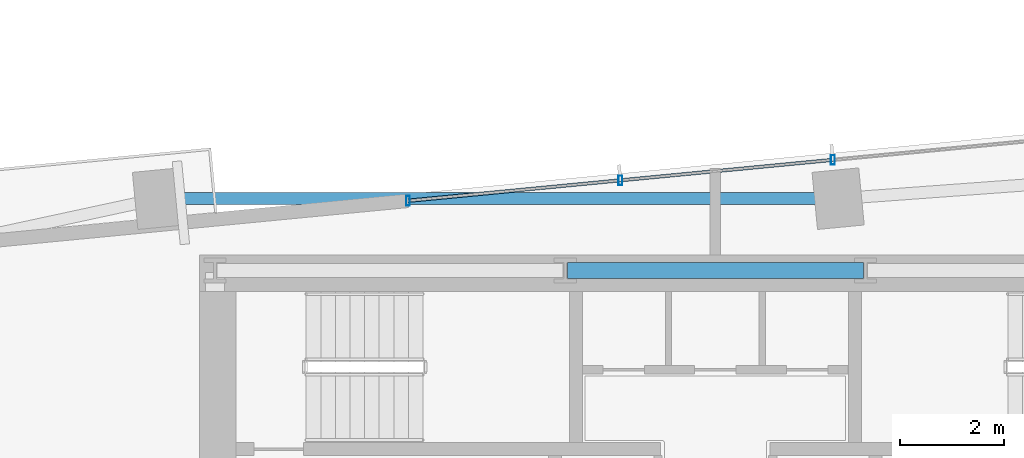
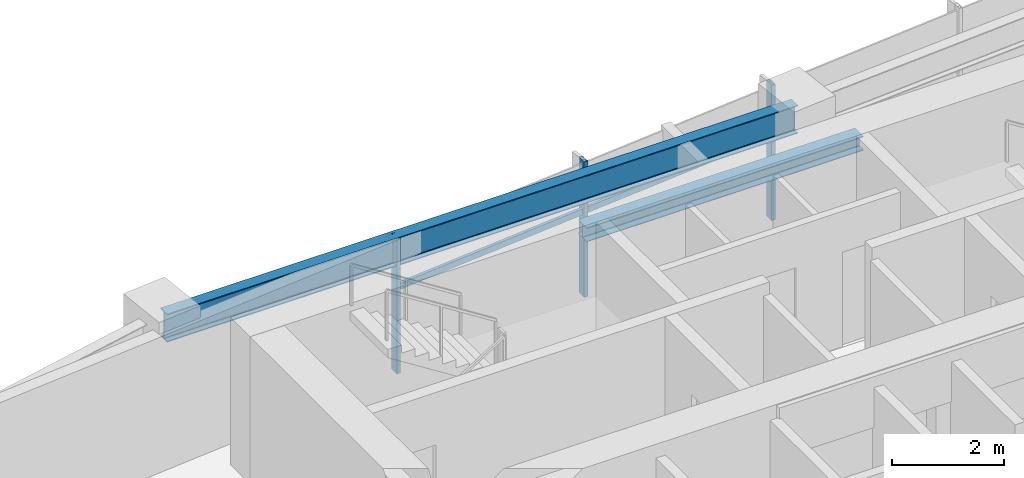
# One storey, part 10 of 27: 5 members, 2 beams, 1 element without a shape of its own.
"""IFC4 building model written with IfcOpenShell, lengths in metres."""

from ifc_helpers import new_model, si_unit, direction, frame, origin, origin_2d, place, context, subcontext, project, spatial, hollow_rectangle, i_section, extrude, source, transform, mapped, material, material_profile, profile_set, type_object, type_shapes, element, aggregate, save


model = new_model("IFC4")

# Units and contexts
model_context = context("Model", 3, precision=1e-05, world=origin(), true_north=direction((0.0, 1.0)))
body_context = subcontext(model_context, "Body", "Model", "MODEL_VIEW")
ifc_project = project(units=[si_unit("LENGTHUNIT", "METRE"), si_unit("AREAUNIT", "SQUARE_METRE"), si_unit("VOLUMEUNIT", "CUBIC_METRE"), si_unit("PLANEANGLEUNIT", "RADIAN"), si_unit("MASSUNIT", "GRAM", prefix="KILO")], contexts=[model_context])

# Site, building, storey
site_placement = place(None, origin())
site = spatial("IfcSite", under=ifc_project, at=site_placement, CompositionType="ELEMENT")
building_placement = place(site_placement, origin())
building = spatial("IfcBuilding", under=site, at=building_placement, Name="Astriad Promenade Condominiums", CompositionType="ELEMENT")
storey_placement = place(building_placement, frame((0.0, 0.0, 97.0)))
storey = spatial("IfcBuildingStorey", under=building, at=storey_placement, Name="L27", CompositionType="ELEMENT", Elevation=97.0)

# Beams
ifc_material_1 = material(Name="Steel ASTM A992 Grade 50", Category="steel")
ifc_material_profile_1 = material_profile(ifc_material_1, i_section(OverallWidth=0.3046875, OverallDepth=0.307861328125, WebThickness=0.010009765625, FlangeThickness=0.015380859375, FilletRadius=0.01513671875, at=origin_2d()), Name="W12X65")
ifc_profile_set_1 = profile_set([ifc_material_profile_1], Name="Steel ASTM A992 Grade 50")
beam_type_1 = type_object("IfcBeamType", Name="STEEL OPENING LINTEL W12X65", PredefinedType="LINTEL", material=ifc_profile_set_1)
shared_shape_1 = source(origin(), body_context, "Body", "SweptSolid", [
    extrude(i_section(OverallWidth=0.3046875, OverallDepth=0.307861328125, WebThickness=0.010009765625, FlangeThickness=0.015380859375, FilletRadius=0.01513671875, at=origin_2d()), origin(), (0.0, 0.0, 1.0), 5.68017578125),
])
type_shapes(beam_type_1, [shared_shape_1])
beam_1_placement = place(storey_placement, frame((33.159912109375, 24.0, 2.7861328125), z_axis=(1.0, 0.0, 0.0), x_axis=(0.0, 1.0, 0.0)))
element("IfcBeam", 1, at=beam_1_placement, inside=storey, type_object=beam_type_1, Name="Core Ring Beam CG-N2-L27", PredefinedType="LINTEL", context=body_context, shape_type="MappedRepresentation", body=[
    mapped(shared_shape_1, transform((0.0, 0.0, 0.0), scale=1.0)),
])
ifc_material_profile_2 = material_profile(ifc_material_1, i_section(OverallWidth=0.22900390625, OverallDepth=0.612060546875, WebThickness=0.011962890625, FlangeThickness=0.01953125, FilletRadius=0.017822265625, at=origin_2d()), Name="W24X84")
ifc_profile_set_2 = profile_set([ifc_material_profile_2], Name="Steel ASTM A992 Grade 50")
beam_type_2 = type_object("IfcBeamType", Name="STEEL SPANDREL BEAM W24X84", PredefinedType="SPANDREL", material=ifc_profile_set_2)
shared_shape_2 = source(origin(), body_context, "Body", "SweptSolid", [
    extrude(i_section(OverallWidth=0.22900390625, OverallDepth=0.612060546875, WebThickness=0.011962890625, FlangeThickness=0.01953125, FilletRadius=0.017822265625, at=origin_2d()), origin(), (0.0, 0.0, 1.0), 12.959716796875),
])
type_shapes(beam_type_2, [shared_shape_2])
beam_2_placement = place(storey_placement, frame((38.314697265625, 25.3798828125, 2.6337890625), z_axis=(-1.0, 0.0, 0.0), x_axis=(0.0, -1.0, 0.0)))
element("IfcBeam", 2, at=beam_2_placement, inside=storey, type_object=beam_type_2, Name="Perimeter Spandrel Beam SP-N2-L27", PredefinedType="SPANDREL", context=body_context, shape_type="MappedRepresentation", body=[
    mapped(shared_shape_2, transform((0.0, 0.0, 0.0), scale=1.0)),
])

# Curtain wall, members
ifc_material_2 = material(Name="Anodised aluminium Black Dark Glass Unitised", Category="aluminium")
curtain_wall_type = type_object("IfcCurtainWallType", Name="CW-B2-DARK", PredefinedType="USERDEFINED", material=ifc_material_2)
curtain_wall_placement = place(storey_placement, origin())
curtain_wall = element("IfcCurtainWall", 3, at=curtain_wall_placement, inside=storey, type_object=curtain_wall_type, Name="CW-L27-N", ObjectType="UNITISED_CURTAIN_WALL", PredefinedType="USERDEFINED")
ifc_material_3 = material(Name="Anodised aluminium 6063-T6 Black", Category="aluminium")
ifc_material_profile_3 = material_profile(ifc_material_3, hollow_rectangle(XDim=0.074951171875, YDim=0.18505859375, WallThickness=0.00439453125, at=origin_2d()), Name="ALU-MUL-75X185")
ifc_profile_set_3 = profile_set([ifc_material_profile_3], Name="Anodised aluminium 6063-T6 Black")
member_type_1 = type_object("IfcMemberType", Name="MUL-ALU-MUL-75X185", PredefinedType="MULLION", material=ifc_profile_set_3)
shared_shape_3 = source(origin(), body_context, "Body", "SweptSolid", [
    extrude(hollow_rectangle(XDim=0.074951171875, YDim=0.18505859375, WallThickness=0.00439453125, at=origin_2d()), origin(), (0.0, 0.0, 1.0), 2.93994140625),
])
type_shapes(member_type_1, [shared_shape_3])
member_1_placement = place(storey_placement, frame((30.101806640625, 25.339599609375, 0.0), z_axis=(0.0, 0.0, 1.0), x_axis=(1.0, 0.0, 0.0)))
member_1 = element("IfcMember", 4, at=member_1_placement, type_object=member_type_1, Name="CW-L27-N-MUL-00", PredefinedType="MULLION", context=body_context, shape_type="MappedRepresentation", body=[
    mapped(shared_shape_3, transform((0.0, 0.0, 0.0), scale=1.0)),
])
member_2_placement = place(storey_placement, frame((34.177734375, 25.732177734375, 0.0), z_axis=(0.0, 0.0, 1.0), x_axis=(1.0, 0.0, 0.0)))
member_2 = element("IfcMember", 5, at=member_2_placement, type_object=member_type_1, Name="CW-L27-N-MUL-01", PredefinedType="MULLION", context=body_context, shape_type="MappedRepresentation", body=[
    mapped(shared_shape_3, transform((0.0, 0.0, 0.0), scale=1.0)),
])
member_3_placement = place(storey_placement, frame((38.25390625, 26.12451171875, 0.0), z_axis=(0.0, 0.0, 1.0), x_axis=(1.0, 0.0, 0.0)))
member_3 = element("IfcMember", 6, at=member_3_placement, type_object=member_type_1, Name="CW-L27-N-MUL-02", PredefinedType="MULLION", context=body_context, shape_type="MappedRepresentation", body=[
    mapped(shared_shape_3, transform((0.0, 0.0, 0.0), scale=1.0)),
])
ifc_material_profile_4 = material_profile(ifc_material_3, hollow_rectangle(XDim=0.06494140625, YDim=0.1298828125, WallThickness=0.00390625, at=origin_2d()), Name="ALU-TRN-65X130")
ifc_profile_set_4 = profile_set([ifc_material_profile_4], Name="Anodised aluminium 6063-T6 Black")
member_type_2 = type_object("IfcMemberType", Name="TRN-ALU-TRN-65X130", PredefinedType="USERDEFINED", material=ifc_profile_set_4)
shared_shape_4 = source(origin(), body_context, "Body", "SweptSolid", [
    extrude(hollow_rectangle(XDim=0.06494140625, YDim=0.1298828125, WallThickness=0.00390625, at=origin_2d()), origin(), (0.0, 0.0, 1.0), 4.0947265625),
])
member_4_placement = place(storey_placement, frame((30.101806640625, 25.339599609375, 1.82275390625), z_axis=(0.995393613612, 0.095872592434, 0.0), x_axis=(-0.095872592434, 0.995393613612, 0.0)))
member_4 = element("IfcMember", 7, at=member_4_placement, type_object=member_type_2, Name="CW-L27-N-TRN-00-0", ObjectType="TRANSOM", PredefinedType="USERDEFINED", context=body_context, shape_type="MappedRepresentation", body=[
    mapped(shared_shape_4, transform((0.0, 0.0, 0.0), scale=1.0)),
])
shared_shape_5 = source(origin(), body_context, "Body", "SweptSolid", [
    extrude(hollow_rectangle(XDim=0.06494140625, YDim=0.1298828125, WallThickness=0.00390625, at=origin_2d()), origin(), (0.0, 0.0, 1.0), 4.094970703125),
])
type_shapes(member_type_2, [shared_shape_4, shared_shape_5])
member_5_placement = place(storey_placement, frame((34.177734375, 25.732177734375, 1.82275390625), z_axis=(0.995399849002, 0.095807831657, 0.0), x_axis=(-0.095807831657, 0.995399849002, 0.0)))
member_5 = element("IfcMember", 8, at=member_5_placement, type_object=member_type_2, Name="CW-L27-N-TRN-01-0", ObjectType="TRANSOM", PredefinedType="USERDEFINED", context=body_context, shape_type="MappedRepresentation", body=[
    mapped(shared_shape_5, transform((0.0, 0.0, 0.0), scale=1.0)),
])
aggregate(curtain_wall, [member_1, member_2, member_3, member_4, member_5])

save(model, "model.ifc")
